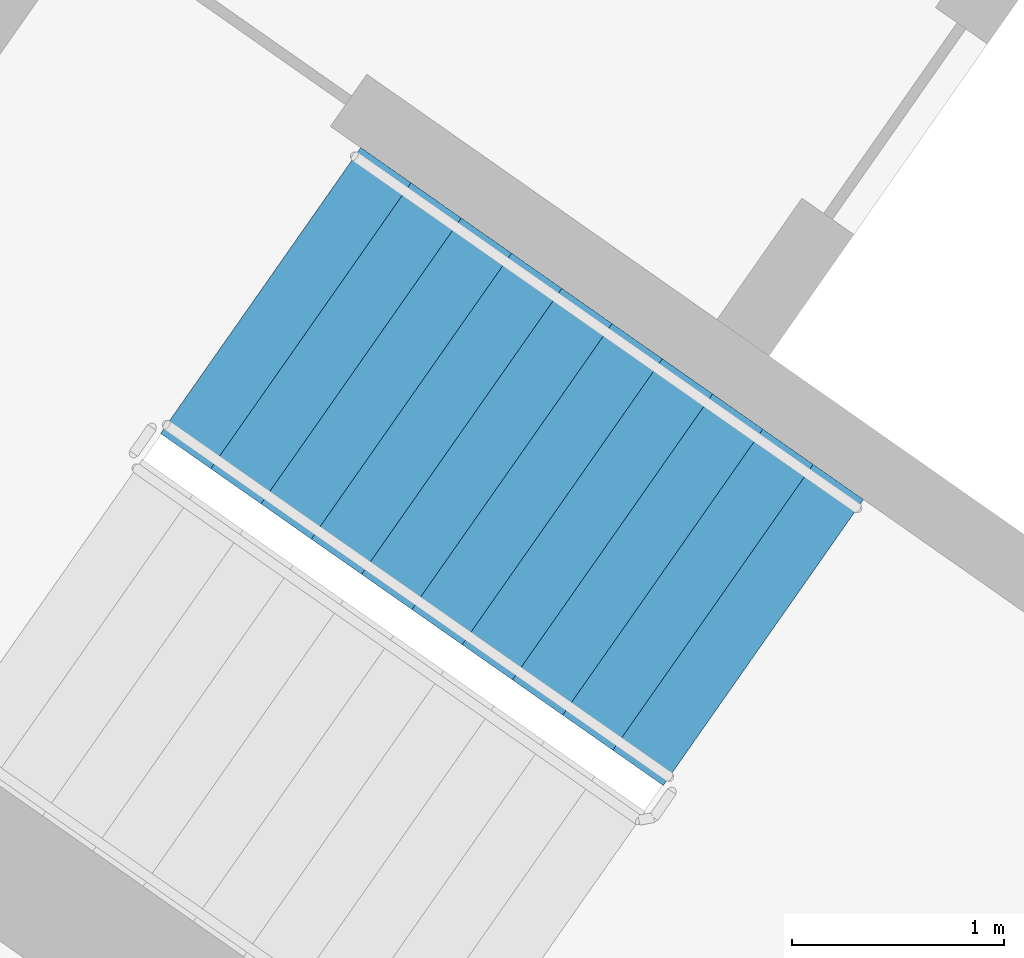
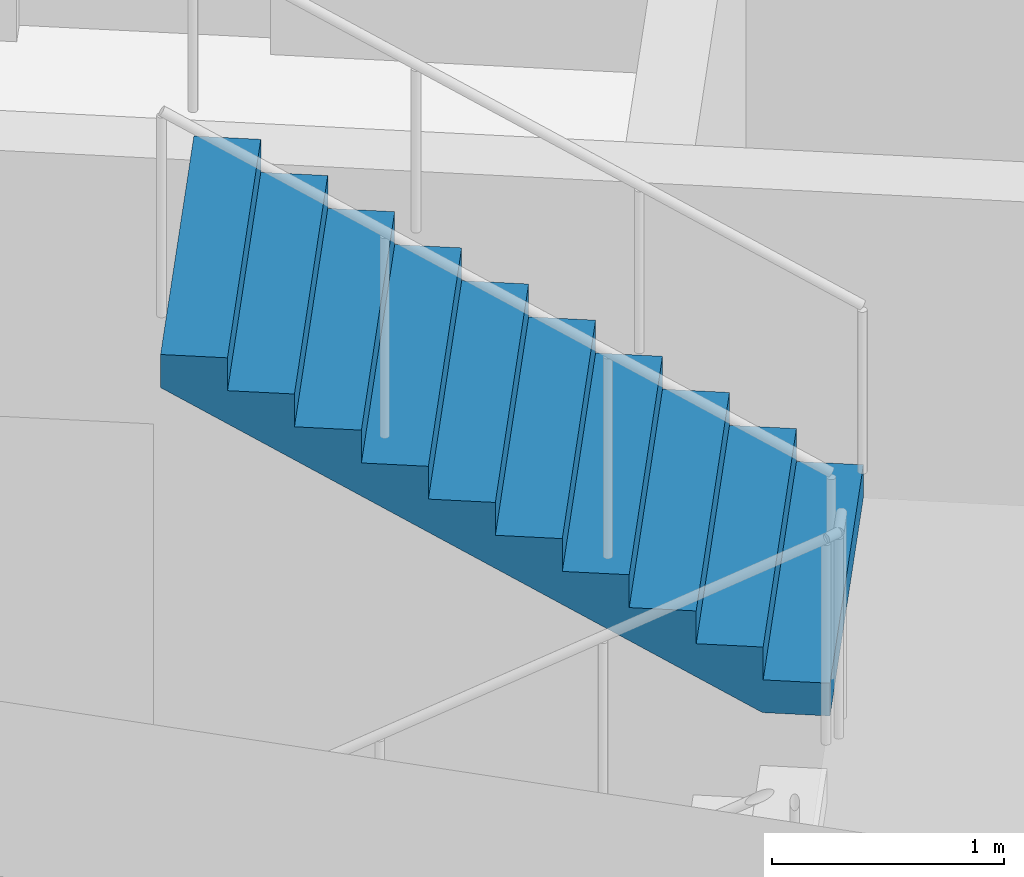
# One storey, part 12 of 27: 1 stair flight, 1 element without a shape of its own.
"""IFC4 building model written with IfcOpenShell, lengths in metres."""

from ifc_helpers import new_model, si_unit, direction, frame, origin, place, context, subcontext, project, spatial, faceted_brep, material, type_object, element, aggregate, save


model = new_model("IFC4")

# Units and contexts
model_context = context("Model", 3, precision=1e-05, world=origin(), true_north=direction((0.0, 1.0)))
body_context = subcontext(model_context, "Body", "Model", "MODEL_VIEW")
ifc_project = project(units=[si_unit("LENGTHUNIT", "METRE"), si_unit("AREAUNIT", "SQUARE_METRE"), si_unit("VOLUMEUNIT", "CUBIC_METRE"), si_unit("PLANEANGLEUNIT", "RADIAN"), si_unit("MASSUNIT", "GRAM", prefix="KILO")], contexts=[model_context])

# Site, building, storey
site_placement = place(None, origin())
site = spatial("IfcSite", under=ifc_project, at=site_placement, CompositionType="ELEMENT")
building_placement = place(site_placement, origin())
building = spatial("IfcBuilding", under=site, at=building_placement, Name="Qamariyya Broadcast Tower", CompositionType="ELEMENT")
storey_placement = place(building_placement, frame((0.0, 0.0, 179.699951171875)))
storey = spatial("IfcBuildingStorey", under=building, at=storey_placement, Name="L42", CompositionType="ELEMENT", Elevation=179.699951171875)

# Stair, stair flight
ifc_material = material(Name="Concrete C50/60", Category="concrete")
stair_type = type_object("IfcStairType", Name="Exit stair 22 risers of 173 mm", PredefinedType="HALF_TURN_STAIR", material=ifc_material)
stair_placement = place(storey_placement, origin())
stair = element("IfcStair", 1, at=stair_placement, inside=storey, type_object=stair_type, Name="L42 Stair W1", PredefinedType="HALF_TURN_STAIR")
stair_flight_type = type_object("IfcStairFlightType", Name="Exit stair flight 11 risers of 173 mm", PredefinedType="STRAIGHT", material=ifc_material)
stair_flight_placement = place(storey_placement, frame((-43.660888671875, -57.17138671875, 1.900146484375), z_axis=(0.0, 0.0, 1.0), x_axis=(-0.819152044289, 0.573576436351, 0.0)))
stair_flight = element("IfcStairFlight", 2, at=stair_flight_placement, type_object=stair_flight_type, Name="ST-W1 flight 2", NumberOfRisers=11, NumberOfTreads=10, PredefinedType="STRAIGHT", RiserHeight=0.172727273, TreadLength=0.29, context=body_context, shape_type="Brep", body=[
    faceted_brep([(0.0, 0.824951171875, 0.0), (0.0, 0.824951171875, 0.172607421875), (0.2900390625, 0.824951171875, 0.172607421875), (0.2900390625, 0.824951171875, 0.345458984375), (0.580078125, 0.824951171875, 0.345458984375), (0.580078125, 0.824951171875, 0.51806640625), (0.8701171875, 0.824951171875, 0.51806640625), (0.8701171875, 0.824951171875, 0.69091796875), (1.159912109375, 0.824951171875, 0.69091796875), (1.159912109375, 0.824951171875, 0.863525390625), (1.449951171875, 0.824951171875, 0.863525390625), (1.449951171875, 0.824951171875, 1.036376953125), (1.739990234375, 0.824951171875, 1.036376953125), (1.739990234375, 0.824951171875, 1.208984375), (2.030029296875, 0.824951171875, 1.208984375), (2.030029296875, 0.824951171875, 1.3818359375), (2.320068359375, 0.824951171875, 1.3818359375), (2.320068359375, 0.824951171875, 1.554443359375), (2.610107421875, 0.824951171875, 1.554443359375), (2.610107421875, 0.824951171875, 1.727294921875), (2.89990234375, 0.824951171875, 1.727294921875), (2.89990234375, 0.824951171875, 1.552734375), (0.29296875, 0.824951171875, 0.0), (0.29296875, -0.824951171875, 0.0), (2.89990234375, -0.824951171875, 1.552734375), (2.89990234375, -0.824951171875, 1.727294921875), (2.610107421875, -0.824951171875, 1.727294921875), (2.610107421875, -0.824951171875, 1.554443359375), (2.320068359375, -0.824951171875, 1.554443359375), (2.320068359375, -0.824951171875, 1.3818359375), (2.030029296875, -0.824951171875, 1.3818359375), (2.030029296875, -0.824951171875, 1.208984375), (1.739990234375, -0.824951171875, 1.208984375), (1.739990234375, -0.824951171875, 1.036376953125), (1.449951171875, -0.824951171875, 1.036376953125), (1.449951171875, -0.824951171875, 0.863525390625), (1.159912109375, -0.824951171875, 0.863525390625), (1.159912109375, -0.824951171875, 0.69091796875), (0.8701171875, -0.824951171875, 0.69091796875), (0.8701171875, -0.824951171875, 0.51806640625), (0.580078125, -0.824951171875, 0.51806640625), (0.580078125, -0.824951171875, 0.345458984375), (0.2900390625, -0.824951171875, 0.345458984375), (0.2900390625, -0.824951171875, 0.172607421875), (0.0, -0.824951171875, 0.172607421875), (0.0, -0.824951171875, 0.0), (0.0, 0.10009765625, 0.0), (0.0, 0.086669921875, 0.0), (0.0, 0.0732421875, 0.0), (0.0, 0.06005859375, 0.0), (0.0, 0.046630859375, 0.0), (0.0, 0.033447265625, 0.0), (0.0, 0.02001953125, 0.0), (0.0, 0.006591796875, 0.0), (0.0, -0.006591796875, 0.0), (0.0, -0.02001953125, 0.0), (0.0, -0.033447265625, 0.0), (0.0, -0.046630859375, 0.0), (0.0, -0.06005859375, 0.0), (0.0, -0.0732421875, 0.0), (0.0, -0.086669921875, 0.0), (0.0, -0.10009765625, 0.0), (0.0, -0.10009765625, 0.172607421875), (0.0, -0.086669921875, 0.172607421875), (0.0, -0.0732421875, 0.172607421875), (0.0, -0.06005859375, 0.172607421875), (0.0, -0.046630859375, 0.172607421875), (0.0, -0.033447265625, 0.172607421875), (0.0, -0.02001953125, 0.172607421875), (0.0, -0.006591796875, 0.172607421875), (0.0, 0.006591796875, 0.172607421875), (0.0, 0.02001953125, 0.172607421875), (0.0, 0.033447265625, 0.172607421875), (0.0, 0.046630859375, 0.172607421875), (0.0, 0.06005859375, 0.172607421875), (0.0, 0.0732421875, 0.172607421875), (0.0, 0.086669921875, 0.172607421875), (0.0, 0.10009765625, 0.172607421875), (0.2900390625, -0.10009765625, 0.172607421875), (0.2900390625, -0.086669921875, 0.172607421875), (0.2900390625, -0.0732421875, 0.172607421875), (0.2900390625, -0.06005859375, 0.172607421875), (0.2900390625, -0.046630859375, 0.172607421875), (0.2900390625, -0.033447265625, 0.172607421875), (0.2900390625, -0.02001953125, 0.172607421875), (0.2900390625, -0.006591796875, 0.172607421875), (0.2900390625, 0.006591796875, 0.172607421875), (0.2900390625, 0.02001953125, 0.172607421875), (0.2900390625, 0.033447265625, 0.172607421875), (0.2900390625, 0.046630859375, 0.172607421875), (0.2900390625, 0.06005859375, 0.172607421875), (0.2900390625, 0.0732421875, 0.172607421875), (0.2900390625, 0.086669921875, 0.172607421875), (0.2900390625, 0.10009765625, 0.172607421875), (0.2900390625, -0.10009765625, 0.345458984375), (0.2900390625, -0.086669921875, 0.345458984375), (0.2900390625, -0.0732421875, 0.345458984375), (0.2900390625, -0.06005859375, 0.345458984375), (0.2900390625, -0.046630859375, 0.345458984375), (0.2900390625, -0.033447265625, 0.345458984375), (0.2900390625, -0.02001953125, 0.345458984375), (0.2900390625, -0.006591796875, 0.345458984375), (0.2900390625, 0.006591796875, 0.345458984375), (0.2900390625, 0.02001953125, 0.345458984375), (0.2900390625, 0.033447265625, 0.345458984375), (0.2900390625, 0.046630859375, 0.345458984375), (0.2900390625, 0.06005859375, 0.345458984375), (0.2900390625, 0.0732421875, 0.345458984375), (0.2900390625, 0.086669921875, 0.345458984375), (0.2900390625, 0.10009765625, 0.345458984375), (0.580078125, -0.10009765625, 0.345458984375), (0.580078125, -0.086669921875, 0.345458984375), (0.580078125, -0.0732421875, 0.345458984375), (0.580078125, -0.06005859375, 0.345458984375), (0.580078125, -0.046630859375, 0.345458984375), (0.580078125, -0.033447265625, 0.345458984375), (0.580078125, -0.02001953125, 0.345458984375), (0.580078125, -0.006591796875, 0.345458984375), (0.580078125, 0.006591796875, 0.345458984375), (0.580078125, 0.02001953125, 0.345458984375), (0.580078125, 0.033447265625, 0.345458984375), (0.580078125, 0.046630859375, 0.345458984375), (0.580078125, 0.06005859375, 0.345458984375), (0.580078125, 0.0732421875, 0.345458984375), (0.580078125, 0.086669921875, 0.345458984375), (0.580078125, 0.10009765625, 0.345458984375), (0.580078125, -0.10009765625, 0.51806640625), (0.580078125, -0.086669921875, 0.51806640625), (0.580078125, -0.0732421875, 0.51806640625), (0.580078125, -0.06005859375, 0.51806640625), (0.580078125, -0.046630859375, 0.51806640625), (0.580078125, -0.033447265625, 0.51806640625), (0.580078125, -0.02001953125, 0.51806640625), (0.580078125, -0.006591796875, 0.51806640625), (0.580078125, 0.006591796875, 0.51806640625), (0.580078125, 0.02001953125, 0.51806640625), (0.580078125, 0.033447265625, 0.51806640625), (0.580078125, 0.046630859375, 0.51806640625), (0.580078125, 0.06005859375, 0.51806640625), (0.580078125, 0.0732421875, 0.51806640625), (0.580078125, 0.086669921875, 0.51806640625), (0.580078125, 0.10009765625, 0.51806640625), (0.8701171875, -0.10009765625, 0.51806640625), (0.8701171875, -0.086669921875, 0.51806640625), (0.8701171875, -0.0732421875, 0.51806640625), (0.8701171875, -0.06005859375, 0.51806640625), (0.8701171875, -0.046630859375, 0.51806640625), (0.8701171875, -0.033447265625, 0.51806640625), (0.8701171875, -0.02001953125, 0.51806640625), (0.8701171875, -0.006591796875, 0.51806640625), (0.8701171875, 0.006591796875, 0.51806640625), (0.8701171875, 0.02001953125, 0.51806640625), (0.8701171875, 0.033447265625, 0.51806640625), (0.8701171875, 0.046630859375, 0.51806640625), (0.8701171875, 0.06005859375, 0.51806640625), (0.8701171875, 0.0732421875, 0.51806640625), (0.8701171875, 0.086669921875, 0.51806640625), (0.8701171875, 0.10009765625, 0.51806640625), (0.8701171875, -0.10009765625, 0.69091796875), (0.8701171875, -0.086669921875, 0.69091796875), (0.8701171875, -0.0732421875, 0.69091796875), (0.8701171875, -0.06005859375, 0.69091796875), (0.8701171875, -0.046630859375, 0.69091796875), (0.8701171875, -0.033447265625, 0.69091796875), (0.8701171875, -0.02001953125, 0.69091796875), (0.8701171875, -0.006591796875, 0.69091796875), (0.8701171875, 0.006591796875, 0.69091796875), (0.8701171875, 0.02001953125, 0.69091796875), (0.8701171875, 0.033447265625, 0.69091796875), (0.8701171875, 0.046630859375, 0.69091796875), (0.8701171875, 0.06005859375, 0.69091796875), (0.8701171875, 0.0732421875, 0.69091796875), (0.8701171875, 0.086669921875, 0.69091796875), (0.8701171875, 0.10009765625, 0.69091796875), (1.159912109375, -0.10009765625, 0.69091796875), (1.159912109375, -0.086669921875, 0.69091796875), (1.159912109375, -0.0732421875, 0.69091796875), (1.159912109375, -0.06005859375, 0.69091796875), (1.159912109375, -0.046630859375, 0.69091796875), (1.159912109375, -0.033447265625, 0.69091796875), (1.159912109375, -0.02001953125, 0.69091796875), (1.159912109375, -0.006591796875, 0.69091796875), (1.159912109375, 0.006591796875, 0.69091796875), (1.159912109375, 0.02001953125, 0.69091796875), (1.159912109375, 0.033447265625, 0.69091796875), (1.159912109375, 0.046630859375, 0.69091796875), (1.159912109375, 0.06005859375, 0.69091796875), (1.159912109375, 0.0732421875, 0.69091796875), (1.159912109375, 0.086669921875, 0.69091796875), (1.159912109375, 0.10009765625, 0.69091796875), (1.159912109375, -0.10009765625, 0.863525390625), (1.159912109375, -0.086669921875, 0.863525390625), (1.159912109375, -0.0732421875, 0.863525390625), (1.159912109375, -0.06005859375, 0.863525390625), (1.159912109375, -0.046630859375, 0.863525390625), (1.159912109375, -0.033447265625, 0.863525390625), (1.159912109375, -0.02001953125, 0.863525390625), (1.159912109375, -0.006591796875, 0.863525390625), (1.159912109375, 0.006591796875, 0.863525390625), (1.159912109375, 0.02001953125, 0.863525390625), (1.159912109375, 0.033447265625, 0.863525390625), (1.159912109375, 0.046630859375, 0.863525390625), (1.159912109375, 0.06005859375, 0.863525390625), (1.159912109375, 0.0732421875, 0.863525390625), (1.159912109375, 0.086669921875, 0.863525390625), (1.159912109375, 0.10009765625, 0.863525390625), (1.449951171875, -0.10009765625, 0.863525390625), (1.449951171875, -0.086669921875, 0.863525390625), (1.449951171875, -0.0732421875, 0.863525390625), (1.449951171875, -0.06005859375, 0.863525390625), (1.449951171875, -0.046630859375, 0.863525390625), (1.449951171875, -0.033447265625, 0.863525390625), (1.449951171875, -0.02001953125, 0.863525390625), (1.449951171875, -0.006591796875, 0.863525390625), (1.449951171875, 0.006591796875, 0.863525390625), (1.449951171875, 0.02001953125, 0.863525390625), (1.449951171875, 0.033447265625, 0.863525390625), (1.449951171875, 0.046630859375, 0.863525390625), (1.449951171875, 0.06005859375, 0.863525390625), (1.449951171875, 0.0732421875, 0.863525390625), (1.449951171875, 0.086669921875, 0.863525390625), (1.449951171875, 0.10009765625, 0.863525390625), (1.449951171875, -0.10009765625, 1.036376953125), (1.449951171875, -0.086669921875, 1.036376953125), (1.449951171875, -0.0732421875, 1.036376953125), (1.449951171875, -0.06005859375, 1.036376953125), (1.449951171875, -0.046630859375, 1.036376953125), (1.449951171875, -0.033447265625, 1.036376953125), (1.449951171875, -0.02001953125, 1.036376953125), (1.449951171875, -0.006591796875, 1.036376953125), (1.449951171875, 0.006591796875, 1.036376953125), (1.449951171875, 0.02001953125, 1.036376953125), (1.449951171875, 0.033447265625, 1.036376953125), (1.449951171875, 0.046630859375, 1.036376953125), (1.449951171875, 0.06005859375, 1.036376953125), (1.449951171875, 0.0732421875, 1.036376953125), (1.449951171875, 0.086669921875, 1.036376953125), (1.449951171875, 0.10009765625, 1.036376953125), (1.739990234375, -0.10009765625, 1.036376953125), (1.739990234375, -0.086669921875, 1.036376953125), (1.739990234375, -0.0732421875, 1.036376953125), (1.739990234375, -0.06005859375, 1.036376953125), (1.739990234375, -0.046630859375, 1.036376953125), (1.739990234375, -0.033447265625, 1.036376953125), (1.739990234375, -0.02001953125, 1.036376953125), (1.739990234375, -0.006591796875, 1.036376953125), (1.739990234375, 0.006591796875, 1.036376953125), (1.739990234375, 0.02001953125, 1.036376953125), (1.739990234375, 0.033447265625, 1.036376953125), (1.739990234375, 0.046630859375, 1.036376953125), (1.739990234375, 0.06005859375, 1.036376953125), (1.739990234375, 0.0732421875, 1.036376953125), (1.739990234375, 0.086669921875, 1.036376953125), (1.739990234375, 0.10009765625, 1.036376953125), (1.739990234375, -0.10009765625, 1.208984375), (1.739990234375, -0.086669921875, 1.208984375), (1.739990234375, -0.0732421875, 1.208984375), (1.739990234375, -0.06005859375, 1.208984375), (1.739990234375, -0.046630859375, 1.208984375), (1.739990234375, -0.033447265625, 1.208984375), (1.739990234375, -0.02001953125, 1.208984375), (1.739990234375, -0.006591796875, 1.208984375), (1.739990234375, 0.006591796875, 1.208984375), (1.739990234375, 0.02001953125, 1.208984375), (1.739990234375, 0.033447265625, 1.208984375), (1.739990234375, 0.046630859375, 1.208984375), (1.739990234375, 0.06005859375, 1.208984375), (1.739990234375, 0.0732421875, 1.208984375), (1.739990234375, 0.086669921875, 1.208984375), (1.739990234375, 0.10009765625, 1.208984375), (2.030029296875, -0.10009765625, 1.208984375), (2.030029296875, -0.086669921875, 1.208984375), (2.030029296875, -0.0732421875, 1.208984375), (2.030029296875, -0.06005859375, 1.208984375), (2.030029296875, -0.046630859375, 1.208984375), (2.030029296875, -0.033447265625, 1.208984375), (2.030029296875, -0.02001953125, 1.208984375), (2.030029296875, -0.006591796875, 1.208984375), (2.030029296875, 0.006591796875, 1.208984375), (2.030029296875, 0.02001953125, 1.208984375), (2.030029296875, 0.033447265625, 1.208984375), (2.030029296875, 0.046630859375, 1.208984375), (2.030029296875, 0.06005859375, 1.208984375), (2.030029296875, 0.0732421875, 1.208984375), (2.030029296875, 0.086669921875, 1.208984375), (2.030029296875, 0.10009765625, 1.208984375), (2.030029296875, -0.10009765625, 1.3818359375), (2.030029296875, -0.086669921875, 1.3818359375), (2.030029296875, -0.0732421875, 1.3818359375), (2.030029296875, -0.06005859375, 1.3818359375), (2.030029296875, -0.046630859375, 1.3818359375), (2.030029296875, -0.033447265625, 1.3818359375), (2.030029296875, -0.02001953125, 1.3818359375), (2.030029296875, -0.006591796875, 1.3818359375), (2.030029296875, 0.006591796875, 1.3818359375), (2.030029296875, 0.02001953125, 1.3818359375), (2.030029296875, 0.033447265625, 1.3818359375), (2.030029296875, 0.046630859375, 1.3818359375), (2.030029296875, 0.06005859375, 1.3818359375), (2.030029296875, 0.0732421875, 1.3818359375), (2.030029296875, 0.086669921875, 1.3818359375), (2.030029296875, 0.10009765625, 1.3818359375), (2.320068359375, -0.10009765625, 1.3818359375), (2.320068359375, -0.086669921875, 1.3818359375), (2.320068359375, -0.0732421875, 1.3818359375), (2.320068359375, -0.06005859375, 1.3818359375), (2.320068359375, -0.046630859375, 1.3818359375), (2.320068359375, -0.033447265625, 1.3818359375), (2.320068359375, -0.02001953125, 1.3818359375), (2.320068359375, -0.006591796875, 1.3818359375), (2.320068359375, 0.006591796875, 1.3818359375), (2.320068359375, 0.02001953125, 1.3818359375), (2.320068359375, 0.033447265625, 1.3818359375), (2.320068359375, 0.046630859375, 1.3818359375), (2.320068359375, 0.06005859375, 1.3818359375), (2.320068359375, 0.0732421875, 1.3818359375), (2.320068359375, 0.086669921875, 1.3818359375), (2.320068359375, 0.10009765625, 1.3818359375), (2.320068359375, -0.10009765625, 1.554443359375), (2.320068359375, -0.086669921875, 1.554443359375), (2.320068359375, -0.0732421875, 1.554443359375), (2.320068359375, -0.06005859375, 1.554443359375), (2.320068359375, -0.046630859375, 1.554443359375), (2.320068359375, -0.033447265625, 1.554443359375), (2.320068359375, -0.02001953125, 1.554443359375), (2.320068359375, -0.006591796875, 1.554443359375), (2.320068359375, 0.006591796875, 1.554443359375), (2.320068359375, 0.02001953125, 1.554443359375), (2.320068359375, 0.033447265625, 1.554443359375), (2.320068359375, 0.046630859375, 1.554443359375), (2.320068359375, 0.06005859375, 1.554443359375), (2.320068359375, 0.0732421875, 1.554443359375), (2.320068359375, 0.086669921875, 1.554443359375), (2.320068359375, 0.10009765625, 1.554443359375), (2.610107421875, -0.10009765625, 1.554443359375), (2.610107421875, -0.086669921875, 1.554443359375), (2.610107421875, -0.0732421875, 1.554443359375), (2.610107421875, -0.06005859375, 1.554443359375), (2.610107421875, -0.046630859375, 1.554443359375), (2.610107421875, -0.033447265625, 1.554443359375), (2.610107421875, -0.02001953125, 1.554443359375), (2.610107421875, -0.006591796875, 1.554443359375), (2.610107421875, 0.006591796875, 1.554443359375), (2.610107421875, 0.02001953125, 1.554443359375), (2.610107421875, 0.033447265625, 1.554443359375), (2.610107421875, 0.046630859375, 1.554443359375), (2.610107421875, 0.06005859375, 1.554443359375), (2.610107421875, 0.0732421875, 1.554443359375), (2.610107421875, 0.086669921875, 1.554443359375), (2.610107421875, 0.10009765625, 1.554443359375), (2.610107421875, -0.10009765625, 1.727294921875), (2.610107421875, -0.086669921875, 1.727294921875), (2.610107421875, -0.0732421875, 1.727294921875), (2.610107421875, -0.06005859375, 1.727294921875), (2.610107421875, -0.046630859375, 1.727294921875), (2.610107421875, -0.033447265625, 1.727294921875), (2.610107421875, -0.02001953125, 1.727294921875), (2.610107421875, -0.006591796875, 1.727294921875), (2.610107421875, 0.006591796875, 1.727294921875), (2.610107421875, 0.02001953125, 1.727294921875), (2.610107421875, 0.033447265625, 1.727294921875), (2.610107421875, 0.046630859375, 1.727294921875), (2.610107421875, 0.06005859375, 1.727294921875), (2.610107421875, 0.0732421875, 1.727294921875), (2.610107421875, 0.086669921875, 1.727294921875), (2.610107421875, 0.10009765625, 1.727294921875), (2.89990234375, -0.10009765625, 1.727294921875), (2.89990234375, -0.086669921875, 1.727294921875), (2.89990234375, -0.0732421875, 1.727294921875), (2.89990234375, -0.06005859375, 1.727294921875), (2.89990234375, -0.046630859375, 1.727294921875), (2.89990234375, -0.033447265625, 1.727294921875), (2.89990234375, -0.02001953125, 1.727294921875), (2.89990234375, -0.006591796875, 1.727294921875), (2.89990234375, 0.006591796875, 1.727294921875), (2.89990234375, 0.02001953125, 1.727294921875), (2.89990234375, 0.033447265625, 1.727294921875), (2.89990234375, 0.046630859375, 1.727294921875), (2.89990234375, 0.06005859375, 1.727294921875), (2.89990234375, 0.0732421875, 1.727294921875), (2.89990234375, 0.086669921875, 1.727294921875), (2.89990234375, 0.10009765625, 1.727294921875), (2.89990234375, -0.10009765625, 1.552734375), (2.89990234375, -0.086669921875, 1.552734375), (2.89990234375, -0.0732421875, 1.552734375), (2.89990234375, -0.06005859375, 1.552734375), (2.89990234375, -0.046630859375, 1.552734375), (2.89990234375, -0.033447265625, 1.552734375), (2.89990234375, -0.02001953125, 1.552734375), (2.89990234375, -0.006591796875, 1.552734375), (2.89990234375, 0.006591796875, 1.552734375), (2.89990234375, 0.02001953125, 1.552734375), (2.89990234375, 0.033447265625, 1.552734375), (2.89990234375, 0.046630859375, 1.552734375), (2.89990234375, 0.06005859375, 1.552734375), (2.89990234375, 0.0732421875, 1.552734375), (2.89990234375, 0.086669921875, 1.552734375), (2.89990234375, 0.10009765625, 1.552734375), (0.29296875, -0.10009765625, 0.0), (0.29296875, -0.086669921875, 0.0), (0.29296875, -0.0732421875, 0.0), (0.29296875, -0.06005859375, 0.0), (0.29296875, -0.046630859375, 0.0), (0.29296875, -0.033447265625, 0.0), (0.29296875, -0.02001953125, 0.0), (0.29296875, -0.006591796875, 0.0), (0.29296875, 0.006591796875, 0.0), (0.29296875, 0.02001953125, 0.0), (0.29296875, 0.033447265625, 0.0), (0.29296875, 0.046630859375, 0.0), (0.29296875, 0.06005859375, 0.0), (0.29296875, 0.0732421875, 0.0), (0.29296875, 0.086669921875, 0.0), (0.29296875, 0.10009765625, 0.0)], [[[0, 1, 2, 3, 4, 5, 6, 7, 8, 9, 10, 11, 12, 13, 14, 15, 16, 17, 18, 19, 20, 21, 22]], [[23, 24, 25, 26, 27, 28, 29, 30, 31, 32, 33, 34, 35, 36, 37, 38, 39, 40, 41, 42, 43, 44, 45]], [[0, 46, 47, 48, 49, 50, 51, 52, 53, 54, 55, 56, 57, 58, 59, 60, 61, 45, 44, 62, 63, 64, 65, 66, 67, 68, 69, 70, 71, 72, 73, 74, 75, 76, 77, 1]], [[1, 77, 76, 75, 74, 73, 72, 71, 70, 69, 68, 67, 66, 65, 64, 63, 62, 44, 43, 78, 79, 80, 81, 82, 83, 84, 85, 86, 87, 88, 89, 90, 91, 92, 93, 2]], [[2, 93, 92, 91, 90, 89, 88, 87, 86, 85, 84, 83, 82, 81, 80, 79, 78, 43, 42, 94, 95, 96, 97, 98, 99, 100, 101, 102, 103, 104, 105, 106, 107, 108, 109, 3]], [[3, 109, 108, 107, 106, 105, 104, 103, 102, 101, 100, 99, 98, 97, 96, 95, 94, 42, 41, 110, 111, 112, 113, 114, 115, 116, 117, 118, 119, 120, 121, 122, 123, 124, 125, 4]], [[4, 125, 124, 123, 122, 121, 120, 119, 118, 117, 116, 115, 114, 113, 112, 111, 110, 41, 40, 126, 127, 128, 129, 130, 131, 132, 133, 134, 135, 136, 137, 138, 139, 140, 141, 5]], [[5, 141, 140, 139, 138, 137, 136, 135, 134, 133, 132, 131, 130, 129, 128, 127, 126, 40, 39, 142, 143, 144, 145, 146, 147, 148, 149, 150, 151, 152, 153, 154, 155, 156, 157, 6]], [[6, 157, 156, 155, 154, 153, 152, 151, 150, 149, 148, 147, 146, 145, 144, 143, 142, 39, 38, 158, 159, 160, 161, 162, 163, 164, 165, 166, 167, 168, 169, 170, 171, 172, 173, 7]], [[7, 173, 172, 171, 170, 169, 168, 167, 166, 165, 164, 163, 162, 161, 160, 159, 158, 38, 37, 174, 175, 176, 177, 178, 179, 180, 181, 182, 183, 184, 185, 186, 187, 188, 189, 8]], [[8, 189, 188, 187, 186, 185, 184, 183, 182, 181, 180, 179, 178, 177, 176, 175, 174, 37, 36, 190, 191, 192, 193, 194, 195, 196, 197, 198, 199, 200, 201, 202, 203, 204, 205, 9]], [[9, 205, 204, 203, 202, 201, 200, 199, 198, 197, 196, 195, 194, 193, 192, 191, 190, 36, 35, 206, 207, 208, 209, 210, 211, 212, 213, 214, 215, 216, 217, 218, 219, 220, 221, 10]], [[10, 221, 220, 219, 218, 217, 216, 215, 214, 213, 212, 211, 210, 209, 208, 207, 206, 35, 34, 222, 223, 224, 225, 226, 227, 228, 229, 230, 231, 232, 233, 234, 235, 236, 237, 11]], [[11, 237, 236, 235, 234, 233, 232, 231, 230, 229, 228, 227, 226, 225, 224, 223, 222, 34, 33, 238, 239, 240, 241, 242, 243, 244, 245, 246, 247, 248, 249, 250, 251, 252, 253, 12]], [[12, 253, 252, 251, 250, 249, 248, 247, 246, 245, 244, 243, 242, 241, 240, 239, 238, 33, 32, 254, 255, 256, 257, 258, 259, 260, 261, 262, 263, 264, 265, 266, 267, 268, 269, 13]], [[13, 269, 268, 267, 266, 265, 264, 263, 262, 261, 260, 259, 258, 257, 256, 255, 254, 32, 31, 270, 271, 272, 273, 274, 275, 276, 277, 278, 279, 280, 281, 282, 283, 284, 285, 14]], [[14, 285, 284, 283, 282, 281, 280, 279, 278, 277, 276, 275, 274, 273, 272, 271, 270, 31, 30, 286, 287, 288, 289, 290, 291, 292, 293, 294, 295, 296, 297, 298, 299, 300, 301, 15]], [[15, 301, 300, 299, 298, 297, 296, 295, 294, 293, 292, 291, 290, 289, 288, 287, 286, 30, 29, 302, 303, 304, 305, 306, 307, 308, 309, 310, 311, 312, 313, 314, 315, 316, 317, 16]], [[16, 317, 316, 315, 314, 313, 312, 311, 310, 309, 308, 307, 306, 305, 304, 303, 302, 29, 28, 318, 319, 320, 321, 322, 323, 324, 325, 326, 327, 328, 329, 330, 331, 332, 333, 17]], [[17, 333, 332, 331, 330, 329, 328, 327, 326, 325, 324, 323, 322, 321, 320, 319, 318, 28, 27, 334, 335, 336, 337, 338, 339, 340, 341, 342, 343, 344, 345, 346, 347, 348, 349, 18]], [[18, 349, 348, 347, 346, 345, 344, 343, 342, 341, 340, 339, 338, 337, 336, 335, 334, 27, 26, 350, 351, 352, 353, 354, 355, 356, 357, 358, 359, 360, 361, 362, 363, 364, 365, 19]], [[19, 365, 364, 363, 362, 361, 360, 359, 358, 357, 356, 355, 354, 353, 352, 351, 350, 26, 25, 366, 367, 368, 369, 370, 371, 372, 373, 374, 375, 376, 377, 378, 379, 380, 381, 20]], [[20, 381, 380, 379, 378, 377, 376, 375, 374, 373, 372, 371, 370, 369, 368, 367, 366, 25, 24, 382, 383, 384, 385, 386, 387, 388, 389, 390, 391, 392, 393, 394, 395, 396, 397, 21]], [[21, 397, 396, 395, 394, 393, 392, 391, 390, 389, 388, 387, 386, 385, 384, 383, 382, 24, 23, 398, 399, 400, 401, 402, 403, 404, 405, 406, 407, 408, 409, 410, 411, 412, 413, 22]], [[22, 413, 412, 411, 410, 409, 408, 407, 406, 405, 404, 403, 402, 401, 400, 399, 398, 23, 45, 61, 60, 59, 58, 57, 56, 55, 54, 53, 52, 51, 50, 49, 48, 47, 46, 0]]]),
])
aggregate(stair, [stair_flight])

save(model, "model.ifc")
